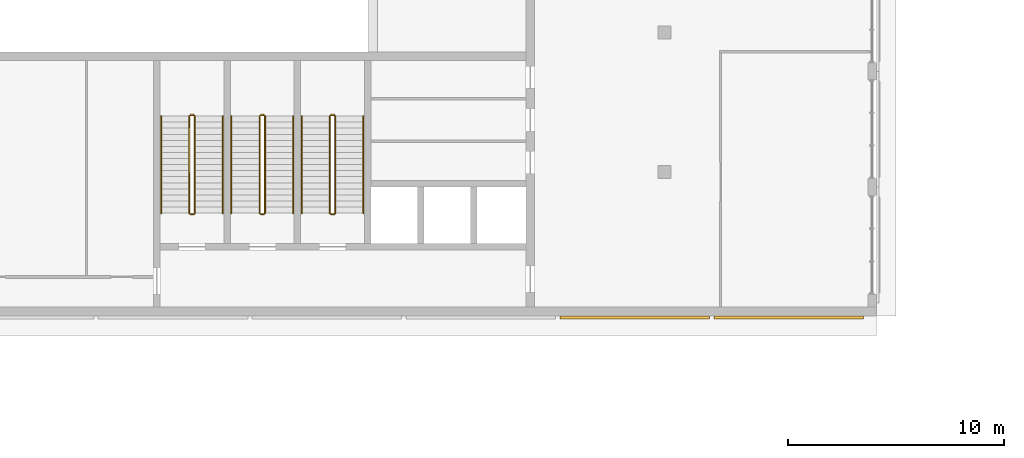
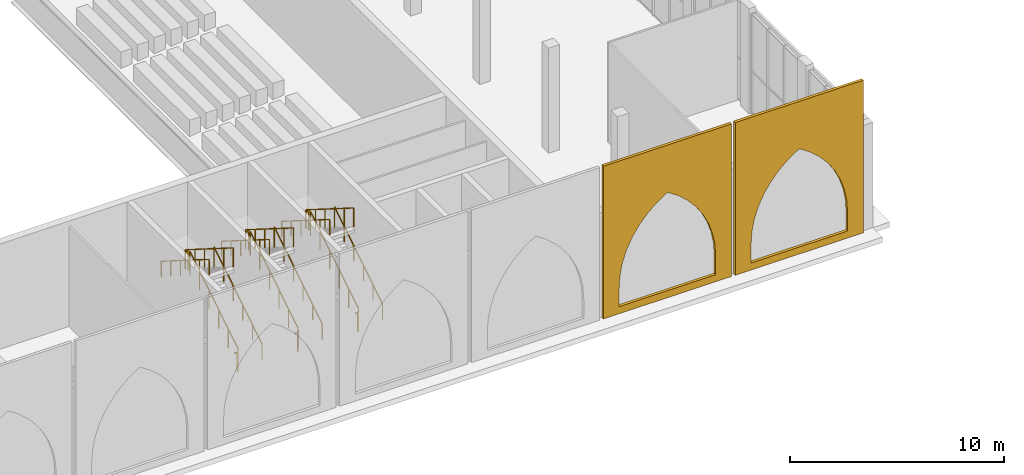
# One storey, part 31 of 74: 18 railings, 2 coverings.
"""IFC4 building model written with IfcOpenShell, lengths in metres."""

from ifc_helpers import new_model, si_unit, direction, frame, origin, origin_2d, place, context, subcontext, project, spatial, polyline, rectangle, outline, extrude, material, layer, layer_set, type_object, element, save


model = new_model("IFC4")

# Units and contexts
model_context = context("Model", 3, precision=1e-05, world=origin(), true_north=direction((0.0, 1.0)))
body_context = subcontext(model_context, "Body", "Model", "MODEL_VIEW")
ifc_project = project(units=[si_unit("LENGTHUNIT", "METRE"), si_unit("AREAUNIT", "SQUARE_METRE"), si_unit("VOLUMEUNIT", "CUBIC_METRE"), si_unit("PLANEANGLEUNIT", "RADIAN"), si_unit("MASSUNIT", "GRAM", prefix="KILO")], contexts=[model_context])

# Site, building, storey
site_placement = place(None, origin())
site = spatial("IfcSite", under=ifc_project, at=site_placement, CompositionType="ELEMENT")
building_placement = place(site_placement, origin())
building = spatial("IfcBuilding", under=site, at=building_placement, Name="Noorbagh Ring Tower", CompositionType="ELEMENT")
storey_placement = place(building_placement, frame((0.0, 0.0, 13.5)))
storey = spatial("IfcBuildingStorey", under=building, at=storey_placement, Name="L02", CompositionType="ELEMENT", Elevation=13.5)

# Coverings
ifc_material_1 = material(Name="Red sandstone cladding", Category="masonry")
ifc_layer = layer(ifc_material_1, 0.14990234375)
ifc_layer_set = layer_set([ifc_layer], Name="Red sandstone cladding")
covering_type = type_object("IfcCoveringType", Name="STH-BLIND", PredefinedType="USERDEFINED", material=ifc_layer_set)
covering_1_placement = place(storey_placement, frame((-109.622314453125, -21.14990234375, 0.0), z_axis=(0.0, -1.0, 0.0), x_axis=(1.0, 0.0, 0.0)))
element("IfcCovering", 1, at=covering_1_placement, inside=storey, type_object=covering_type, Name="Blind arch bay", ObjectType="ARCH", PredefinedType="USERDEFINED", context=body_context, shape_type="SweptSolid", body=[
    extrude(outline(polyline([(0.0, 0.0), (6.9111328125, 0.0), (6.9111328125, 8.699951171875), (0.0, 8.699951171875), (0.0, 0.0)]), holes=[polyline([(0.855712890625, 0.39990234375), (0.855712890625, 1.5), (0.900146484375, 2.1787109375), (1.03271484375, 2.845947265625), (1.25146484375, 3.489990234375), (1.55224609375, 4.10009765625), (1.93017578125, 4.66552734375), (2.378662109375, 5.177001953125), (2.889892578125, 5.62548828125), (3.45556640625, 6.00341796875), (4.021240234375, 5.62548828125), (4.53271484375, 5.177001953125), (4.98095703125, 4.66552734375), (5.35888671875, 4.10009765625), (5.659912109375, 3.489990234375), (5.87841796875, 2.845947265625), (6.010986328125, 2.1787109375), (6.0556640625, 1.5), (6.0556640625, 0.39990234375), (0.855712890625, 0.39990234375)])]), origin(), (0.0, 0.0, -1.0), 0.14990234375),
])
covering_2_placement = place(storey_placement, frame((-102.510986328125, -21.14990234375, 0.0), z_axis=(0.0, -1.0, 0.0), x_axis=(1.0, 0.0, 0.0)))
element("IfcCovering", 2, at=covering_2_placement, inside=storey, type_object=covering_type, Name="Blind arch bay", ObjectType="ARCH", PredefinedType="USERDEFINED", context=body_context, shape_type="SweptSolid", body=[
    extrude(outline(polyline([(0.0, 0.0), (6.910888671875, 0.0), (6.910888671875, 8.699951171875), (0.0, 8.699951171875), (0.0, 0.0)]), holes=[polyline([(0.855712890625, 0.39990234375), (0.855712890625, 1.5), (0.900146484375, 2.1787109375), (1.03271484375, 2.845947265625), (1.25146484375, 3.489990234375), (1.55224609375, 4.10009765625), (1.93017578125, 4.66552734375), (2.378662109375, 5.177001953125), (2.889892578125, 5.62548828125), (3.45556640625, 6.00341796875), (4.021240234375, 5.62548828125), (4.53271484375, 5.177001953125), (4.98095703125, 4.66552734375), (5.35888671875, 4.10009765625), (5.659912109375, 3.489990234375), (5.87841796875, 2.845947265625), (6.010986328125, 2.1787109375), (6.0556640625, 1.5), (6.0556640625, 0.39990234375), (0.855712890625, 0.39990234375)])]), origin(), (0.0, 0.0, -1.0), 0.14990234375),
])

# Railings
ifc_material_2 = material(Name="Stainless steel", Category="steel")
railing_type_1 = type_object("IfcRailingType", Name="TH-STAIR-GUARD", PredefinedType="GUARDRAIL", material=ifc_material_2)
railing_1_placement = place(storey_placement, frame((-123.25, -16.25, 0.176513671875)))
element("IfcRailing", 3, at=railing_1_placement, inside=storey, type_object=railing_type_1, Name="L02 TSS1 stair guard 1", PredefinedType="GUARDRAIL", context=body_context, shape_type="SweptSolid", body=[
    extrude(rectangle(XDim=0.048095703125, YDim=0.048095703125, at=origin_2d()), frame((0.0, 0.0, 1.076171875), z_axis=(0.0, 0.845997938375, 0.533186166611), x_axis=(-1.0, 0.0, 0.0)), (0.0, 0.0, 1.0), 5.29541015625),
    extrude(rectangle(XDim=0.0419921875, YDim=0.0419921875, at=origin_2d()), origin(), (0.0, 0.0, 1.0), 1.052001953125),
    extrude(rectangle(XDim=0.0419921875, YDim=0.0419921875, at=origin_2d()), frame((0.0, 0.89599609375, 0.564697265625)), (0.0, 0.0, 1.0), 1.052001953125),
    extrude(rectangle(XDim=0.0419921875, YDim=0.0419921875, at=origin_2d()), frame((0.0, 1.7919921875, 1.12939453125)), (0.0, 0.0, 1.0), 1.052001953125),
    extrude(rectangle(XDim=0.0419921875, YDim=0.0419921875, at=origin_2d()), frame((0.0, 2.68798828125, 1.694091796875)), (0.0, 0.0, 1.0), 1.052001953125),
    extrude(rectangle(XDim=0.0419921875, YDim=0.0419921875, at=origin_2d()), frame((0.0, 3.583984375, 2.2587890625)), (0.0, 0.0, 1.0), 1.052001953125),
    extrude(rectangle(XDim=0.0419921875, YDim=0.0419921875, at=origin_2d()), frame((0.0, 4.47998046875, 2.823486328125)), (0.0, 0.0, 1.0), 1.052001953125),
])
railing_2_placement = place(storey_placement, frame((-123.300048828125, -11.719970703125, 3.0)))
element("IfcRailing", 4, at=railing_2_placement, inside=storey, type_object=railing_type_1, Name="L02 TSS1 stair guard 2", PredefinedType="GUARDRAIL", context=body_context, shape_type="SweptSolid", body=[
    extrude(rectangle(XDim=0.048095703125, YDim=0.048095703125, at=origin_2d()), frame((0.0, 0.0, 1.076171875), z_axis=(-1.0, 0.0, 0.0), x_axis=(0.0, -1.0, 0.0)), (0.0, 0.0, 1.0), 0.14990234375),
    extrude(rectangle(XDim=0.0419921875, YDim=0.0419921875, at=origin_2d()), origin(), (0.0, 0.0, 1.0), 1.052001953125),
])
railing_3_placement = place(storey_placement, frame((-123.5, -11.77001953125, 3.176513671875)))
element("IfcRailing", 5, at=railing_3_placement, inside=storey, type_object=railing_type_1, Name="L02 TSS1 stair guard 3", PredefinedType="GUARDRAIL", context=body_context, shape_type="SweptSolid", body=[
    extrude(rectangle(XDim=0.048095703125, YDim=0.048095703125, at=origin_2d()), frame((0.0, 0.0, 1.076171875), z_axis=(0.0, -0.845997938375, 0.533186166611), x_axis=(1.0, 0.0, 0.0)), (0.0, 0.0, 1.0), 5.29541015625),
    extrude(rectangle(XDim=0.0419921875, YDim=0.0419921875, at=origin_2d()), origin(), (0.0, 0.0, 1.0), 1.052001953125),
    extrude(rectangle(XDim=0.0419921875, YDim=0.0419921875, at=origin_2d()), frame((0.0, -0.89599609375, 0.564697265625)), (0.0, 0.0, 1.0), 1.052001953125),
    extrude(rectangle(XDim=0.0419921875, YDim=0.0419921875, at=origin_2d()), frame((0.0, -1.7919921875, 1.12939453125)), (0.0, 0.0, 1.0), 1.052001953125),
    extrude(rectangle(XDim=0.0419921875, YDim=0.0419921875, at=origin_2d()), frame((0.0, -2.68798828125, 1.694091796875)), (0.0, 0.0, 1.0), 1.052001953125),
    extrude(rectangle(XDim=0.0419921875, YDim=0.0419921875, at=origin_2d()), frame((0.0, -3.583984375, 2.2587890625)), (0.0, 0.0, 1.0), 1.052001953125),
    extrude(rectangle(XDim=0.0419921875, YDim=0.0419921875, at=origin_2d()), frame((0.0, -4.47998046875, 2.823486328125)), (0.0, 0.0, 1.0), 1.052001953125),
])
railing_4_placement = place(storey_placement, frame((-123.300048828125, -16.300048828125, 0.0)))
element("IfcRailing", 6, at=railing_4_placement, inside=storey, type_object=railing_type_1, Name="L02 TSS1 stair guard 4", PredefinedType="GUARDRAIL", context=body_context, shape_type="SweptSolid", body=[
    extrude(rectangle(XDim=0.048095703125, YDim=0.048095703125, at=origin_2d()), frame((0.0, 0.0, 1.076171875), z_axis=(-1.0, 0.0, 0.0), x_axis=(0.0, -1.0, 0.0)), (0.0, 0.0, 1.0), 0.14990234375),
    extrude(rectangle(XDim=0.0419921875, YDim=0.0419921875, at=origin_2d()), origin(), (0.0, 0.0, 1.0), 1.052001953125),
])
railing_5_placement = place(storey_placement, frame((-120.0, -16.25, 0.176513671875)))
element("IfcRailing", 7, at=railing_5_placement, inside=storey, type_object=railing_type_1, Name="L02 TSS2 stair guard 1", PredefinedType="GUARDRAIL", context=body_context, shape_type="SweptSolid", body=[
    extrude(rectangle(XDim=0.048095703125, YDim=0.048095703125, at=origin_2d()), frame((0.0, 0.0, 1.076171875), z_axis=(0.0, 0.845997938375, 0.533186166611), x_axis=(-1.0, 0.0, 0.0)), (0.0, 0.0, 1.0), 5.29541015625),
    extrude(rectangle(XDim=0.0419921875, YDim=0.0419921875, at=origin_2d()), origin(), (0.0, 0.0, 1.0), 1.052001953125),
    extrude(rectangle(XDim=0.0419921875, YDim=0.0419921875, at=origin_2d()), frame((0.0, 0.89599609375, 0.564697265625)), (0.0, 0.0, 1.0), 1.052001953125),
    extrude(rectangle(XDim=0.0419921875, YDim=0.0419921875, at=origin_2d()), frame((0.0, 1.7919921875, 1.12939453125)), (0.0, 0.0, 1.0), 1.052001953125),
    extrude(rectangle(XDim=0.0419921875, YDim=0.0419921875, at=origin_2d()), frame((0.0, 2.68798828125, 1.694091796875)), (0.0, 0.0, 1.0), 1.052001953125),
    extrude(rectangle(XDim=0.0419921875, YDim=0.0419921875, at=origin_2d()), frame((0.0, 3.583984375, 2.2587890625)), (0.0, 0.0, 1.0), 1.052001953125),
    extrude(rectangle(XDim=0.0419921875, YDim=0.0419921875, at=origin_2d()), frame((0.0, 4.47998046875, 2.823486328125)), (0.0, 0.0, 1.0), 1.052001953125),
])
railing_6_placement = place(storey_placement, frame((-120.050048828125, -11.719970703125, 3.0)))
element("IfcRailing", 8, at=railing_6_placement, inside=storey, type_object=railing_type_1, Name="L02 TSS2 stair guard 2", PredefinedType="GUARDRAIL", context=body_context, shape_type="SweptSolid", body=[
    extrude(rectangle(XDim=0.048095703125, YDim=0.048095703125, at=origin_2d()), frame((0.0, 0.0, 1.076171875), z_axis=(-1.0, 0.0, 0.0), x_axis=(0.0, -1.0, 0.0)), (0.0, 0.0, 1.0), 0.14990234375),
    extrude(rectangle(XDim=0.0419921875, YDim=0.0419921875, at=origin_2d()), origin(), (0.0, 0.0, 1.0), 1.052001953125),
])
railing_7_placement = place(storey_placement, frame((-120.25, -11.77001953125, 3.176513671875)))
element("IfcRailing", 9, at=railing_7_placement, inside=storey, type_object=railing_type_1, Name="L02 TSS2 stair guard 3", PredefinedType="GUARDRAIL", context=body_context, shape_type="SweptSolid", body=[
    extrude(rectangle(XDim=0.048095703125, YDim=0.048095703125, at=origin_2d()), frame((0.0, 0.0, 1.076171875), z_axis=(0.0, -0.845997938375, 0.533186166611), x_axis=(1.0, 0.0, 0.0)), (0.0, 0.0, 1.0), 5.29541015625),
    extrude(rectangle(XDim=0.0419921875, YDim=0.0419921875, at=origin_2d()), origin(), (0.0, 0.0, 1.0), 1.052001953125),
    extrude(rectangle(XDim=0.0419921875, YDim=0.0419921875, at=origin_2d()), frame((0.0, -0.89599609375, 0.564697265625)), (0.0, 0.0, 1.0), 1.052001953125),
    extrude(rectangle(XDim=0.0419921875, YDim=0.0419921875, at=origin_2d()), frame((0.0, -1.7919921875, 1.12939453125)), (0.0, 0.0, 1.0), 1.052001953125),
    extrude(rectangle(XDim=0.0419921875, YDim=0.0419921875, at=origin_2d()), frame((0.0, -2.68798828125, 1.694091796875)), (0.0, 0.0, 1.0), 1.052001953125),
    extrude(rectangle(XDim=0.0419921875, YDim=0.0419921875, at=origin_2d()), frame((0.0, -3.583984375, 2.2587890625)), (0.0, 0.0, 1.0), 1.052001953125),
    extrude(rectangle(XDim=0.0419921875, YDim=0.0419921875, at=origin_2d()), frame((0.0, -4.47998046875, 2.823486328125)), (0.0, 0.0, 1.0), 1.052001953125),
])
railing_8_placement = place(storey_placement, frame((-120.050048828125, -16.300048828125, 0.0)))
element("IfcRailing", 10, at=railing_8_placement, inside=storey, type_object=railing_type_1, Name="L02 TSS2 stair guard 4", PredefinedType="GUARDRAIL", context=body_context, shape_type="SweptSolid", body=[
    extrude(rectangle(XDim=0.048095703125, YDim=0.048095703125, at=origin_2d()), frame((0.0, 0.0, 1.076171875), z_axis=(-1.0, 0.0, 0.0), x_axis=(0.0, -1.0, 0.0)), (0.0, 0.0, 1.0), 0.14990234375),
    extrude(rectangle(XDim=0.0419921875, YDim=0.0419921875, at=origin_2d()), origin(), (0.0, 0.0, 1.0), 1.052001953125),
])
railing_9_placement = place(storey_placement, frame((-126.5, -16.25, 0.176513671875)))
element("IfcRailing", 11, at=railing_9_placement, inside=storey, type_object=railing_type_1, Name="L02 TSS3 stair guard 1", PredefinedType="GUARDRAIL", context=body_context, shape_type="SweptSolid", body=[
    extrude(rectangle(XDim=0.048095703125, YDim=0.048095703125, at=origin_2d()), frame((0.0, 0.0, 1.076171875), z_axis=(0.0, 0.845997938375, 0.533186166611), x_axis=(-1.0, 0.0, 0.0)), (0.0, 0.0, 1.0), 5.29541015625),
    extrude(rectangle(XDim=0.0419921875, YDim=0.0419921875, at=origin_2d()), origin(), (0.0, 0.0, 1.0), 1.052001953125),
    extrude(rectangle(XDim=0.0419921875, YDim=0.0419921875, at=origin_2d()), frame((0.0, 0.89599609375, 0.564697265625)), (0.0, 0.0, 1.0), 1.052001953125),
    extrude(rectangle(XDim=0.0419921875, YDim=0.0419921875, at=origin_2d()), frame((0.0, 1.7919921875, 1.12939453125)), (0.0, 0.0, 1.0), 1.052001953125),
    extrude(rectangle(XDim=0.0419921875, YDim=0.0419921875, at=origin_2d()), frame((0.0, 2.68798828125, 1.694091796875)), (0.0, 0.0, 1.0), 1.052001953125),
    extrude(rectangle(XDim=0.0419921875, YDim=0.0419921875, at=origin_2d()), frame((0.0, 3.583984375, 2.2587890625)), (0.0, 0.0, 1.0), 1.052001953125),
    extrude(rectangle(XDim=0.0419921875, YDim=0.0419921875, at=origin_2d()), frame((0.0, 4.47998046875, 2.823486328125)), (0.0, 0.0, 1.0), 1.052001953125),
])
railing_10_placement = place(storey_placement, frame((-126.550048828125, -11.719970703125, 3.0)))
element("IfcRailing", 12, at=railing_10_placement, inside=storey, type_object=railing_type_1, Name="L02 TSS3 stair guard 2", PredefinedType="GUARDRAIL", context=body_context, shape_type="SweptSolid", body=[
    extrude(rectangle(XDim=0.048095703125, YDim=0.048095703125, at=origin_2d()), frame((0.0, 0.0, 1.076171875), z_axis=(-1.0, 0.0, 0.0), x_axis=(0.0, -1.0, 0.0)), (0.0, 0.0, 1.0), 0.14990234375),
    extrude(rectangle(XDim=0.0419921875, YDim=0.0419921875, at=origin_2d()), origin(), (0.0, 0.0, 1.0), 1.052001953125),
])
railing_11_placement = place(storey_placement, frame((-126.75, -11.77001953125, 3.176513671875)))
element("IfcRailing", 13, at=railing_11_placement, inside=storey, type_object=railing_type_1, Name="L02 TSS3 stair guard 3", PredefinedType="GUARDRAIL", context=body_context, shape_type="SweptSolid", body=[
    extrude(rectangle(XDim=0.048095703125, YDim=0.048095703125, at=origin_2d()), frame((0.0, 0.0, 1.076171875), z_axis=(0.0, -0.845997938375, 0.533186166611), x_axis=(1.0, 0.0, 0.0)), (0.0, 0.0, 1.0), 5.29541015625),
    extrude(rectangle(XDim=0.0419921875, YDim=0.0419921875, at=origin_2d()), origin(), (0.0, 0.0, 1.0), 1.052001953125),
    extrude(rectangle(XDim=0.0419921875, YDim=0.0419921875, at=origin_2d()), frame((0.0, -0.89599609375, 0.564697265625)), (0.0, 0.0, 1.0), 1.052001953125),
    extrude(rectangle(XDim=0.0419921875, YDim=0.0419921875, at=origin_2d()), frame((0.0, -1.7919921875, 1.12939453125)), (0.0, 0.0, 1.0), 1.052001953125),
    extrude(rectangle(XDim=0.0419921875, YDim=0.0419921875, at=origin_2d()), frame((0.0, -2.68798828125, 1.694091796875)), (0.0, 0.0, 1.0), 1.052001953125),
    extrude(rectangle(XDim=0.0419921875, YDim=0.0419921875, at=origin_2d()), frame((0.0, -3.583984375, 2.2587890625)), (0.0, 0.0, 1.0), 1.052001953125),
    extrude(rectangle(XDim=0.0419921875, YDim=0.0419921875, at=origin_2d()), frame((0.0, -4.47998046875, 2.823486328125)), (0.0, 0.0, 1.0), 1.052001953125),
])
railing_12_placement = place(storey_placement, frame((-126.550048828125, -16.300048828125, 0.0)))
element("IfcRailing", 14, at=railing_12_placement, inside=storey, type_object=railing_type_1, Name="L02 TSS3 stair guard 4", PredefinedType="GUARDRAIL", context=body_context, shape_type="SweptSolid", body=[
    extrude(rectangle(XDim=0.048095703125, YDim=0.048095703125, at=origin_2d()), frame((0.0, 0.0, 1.076171875), z_axis=(-1.0, 0.0, 0.0), x_axis=(0.0, -1.0, 0.0)), (0.0, 0.0, 1.0), 0.14990234375),
    extrude(rectangle(XDim=0.0419921875, YDim=0.0419921875, at=origin_2d()), origin(), (0.0, 0.0, 1.0), 1.052001953125),
])
ifc_material_3 = material(Name="Stainless steel", Category="steel")
railing_type_2 = type_object("IfcRailingType", Name="TH-STAIR-HANDRAIL", PredefinedType="HANDRAIL", material=ifc_material_3)
railing_13_placement = place(storey_placement, frame((-121.949951171875, -16.25, 0.176513671875)))
element("IfcRailing", 15, at=railing_13_placement, inside=storey, type_object=railing_type_2, Name="L02 TSS1 stair handrail 1", PredefinedType="HANDRAIL", context=body_context, shape_type="SweptSolid", body=[
    extrude(rectangle(XDim=0.048095703125, YDim=0.048095703125, at=origin_2d()), frame((0.0, 0.0, 0.8759765625), z_axis=(0.0, 0.845997938375, 0.533186166611), x_axis=(-1.0, 0.0, 0.0)), (0.0, 0.0, 1.0), 5.29541015625),
    extrude(rectangle(XDim=0.0419921875, YDim=0.0419921875, at=origin_2d()), origin(), (0.0, 0.0, 1.0), 0.851806640625),
    extrude(rectangle(XDim=0.0419921875, YDim=0.0419921875, at=origin_2d()), frame((0.0, 0.89599609375, 0.564697265625)), (0.0, 0.0, 1.0), 0.851806640625),
    extrude(rectangle(XDim=0.0419921875, YDim=0.0419921875, at=origin_2d()), frame((0.0, 1.7919921875, 1.12939453125)), (0.0, 0.0, 1.0), 0.851806640625),
    extrude(rectangle(XDim=0.0419921875, YDim=0.0419921875, at=origin_2d()), frame((0.0, 2.68798828125, 1.694091796875)), (0.0, 0.0, 1.0), 0.851806640625),
    extrude(rectangle(XDim=0.0419921875, YDim=0.0419921875, at=origin_2d()), frame((0.0, 3.583984375, 2.2587890625)), (0.0, 0.0, 1.0), 0.851806640625),
    extrude(rectangle(XDim=0.0419921875, YDim=0.0419921875, at=origin_2d()), frame((0.0, 4.47998046875, 2.823486328125)), (0.0, 0.0, 1.0), 0.851806640625),
])
railing_14_placement = place(storey_placement, frame((-124.800048828125, -11.77001953125, 3.176513671875)))
element("IfcRailing", 16, at=railing_14_placement, inside=storey, type_object=railing_type_2, Name="L02 TSS1 stair handrail 2", PredefinedType="HANDRAIL", context=body_context, shape_type="SweptSolid", body=[
    extrude(rectangle(XDim=0.048095703125, YDim=0.048095703125, at=origin_2d()), frame((0.0, 0.0, 0.8759765625), z_axis=(0.0, -0.845997938375, 0.533186166611), x_axis=(1.0, 0.0, 0.0)), (0.0, 0.0, 1.0), 5.29541015625),
    extrude(rectangle(XDim=0.0419921875, YDim=0.0419921875, at=origin_2d()), origin(), (0.0, 0.0, 1.0), 0.851806640625),
    extrude(rectangle(XDim=0.0419921875, YDim=0.0419921875, at=origin_2d()), frame((0.0, -0.89599609375, 0.564697265625)), (0.0, 0.0, 1.0), 0.851806640625),
    extrude(rectangle(XDim=0.0419921875, YDim=0.0419921875, at=origin_2d()), frame((0.0, -1.7919921875, 1.12939453125)), (0.0, 0.0, 1.0), 0.851806640625),
    extrude(rectangle(XDim=0.0419921875, YDim=0.0419921875, at=origin_2d()), frame((0.0, -2.68798828125, 1.694091796875)), (0.0, 0.0, 1.0), 0.851806640625),
    extrude(rectangle(XDim=0.0419921875, YDim=0.0419921875, at=origin_2d()), frame((0.0, -3.583984375, 2.2587890625)), (0.0, 0.0, 1.0), 0.851806640625),
    extrude(rectangle(XDim=0.0419921875, YDim=0.0419921875, at=origin_2d()), frame((0.0, -4.47998046875, 2.823486328125)), (0.0, 0.0, 1.0), 0.851806640625),
])
railing_15_placement = place(storey_placement, frame((-118.699951171875, -16.25, 0.176513671875)))
element("IfcRailing", 17, at=railing_15_placement, inside=storey, type_object=railing_type_2, Name="L02 TSS2 stair handrail 1", PredefinedType="HANDRAIL", context=body_context, shape_type="SweptSolid", body=[
    extrude(rectangle(XDim=0.048095703125, YDim=0.048095703125, at=origin_2d()), frame((0.0, 0.0, 0.8759765625), z_axis=(0.0, 0.845997938375, 0.533186166611), x_axis=(-1.0, 0.0, 0.0)), (0.0, 0.0, 1.0), 5.29541015625),
    extrude(rectangle(XDim=0.0419921875, YDim=0.0419921875, at=origin_2d()), origin(), (0.0, 0.0, 1.0), 0.851806640625),
    extrude(rectangle(XDim=0.0419921875, YDim=0.0419921875, at=origin_2d()), frame((0.0, 0.89599609375, 0.564697265625)), (0.0, 0.0, 1.0), 0.851806640625),
    extrude(rectangle(XDim=0.0419921875, YDim=0.0419921875, at=origin_2d()), frame((0.0, 1.7919921875, 1.12939453125)), (0.0, 0.0, 1.0), 0.851806640625),
    extrude(rectangle(XDim=0.0419921875, YDim=0.0419921875, at=origin_2d()), frame((0.0, 2.68798828125, 1.694091796875)), (0.0, 0.0, 1.0), 0.851806640625),
    extrude(rectangle(XDim=0.0419921875, YDim=0.0419921875, at=origin_2d()), frame((0.0, 3.583984375, 2.2587890625)), (0.0, 0.0, 1.0), 0.851806640625),
    extrude(rectangle(XDim=0.0419921875, YDim=0.0419921875, at=origin_2d()), frame((0.0, 4.47998046875, 2.823486328125)), (0.0, 0.0, 1.0), 0.851806640625),
])
railing_16_placement = place(storey_placement, frame((-121.550048828125, -11.77001953125, 3.176513671875)))
element("IfcRailing", 18, at=railing_16_placement, inside=storey, type_object=railing_type_2, Name="L02 TSS2 stair handrail 2", PredefinedType="HANDRAIL", context=body_context, shape_type="SweptSolid", body=[
    extrude(rectangle(XDim=0.048095703125, YDim=0.048095703125, at=origin_2d()), frame((0.0, 0.0, 0.8759765625), z_axis=(0.0, -0.845997938375, 0.533186166611), x_axis=(1.0, 0.0, 0.0)), (0.0, 0.0, 1.0), 5.29541015625),
    extrude(rectangle(XDim=0.0419921875, YDim=0.0419921875, at=origin_2d()), origin(), (0.0, 0.0, 1.0), 0.851806640625),
    extrude(rectangle(XDim=0.0419921875, YDim=0.0419921875, at=origin_2d()), frame((0.0, -0.89599609375, 0.564697265625)), (0.0, 0.0, 1.0), 0.851806640625),
    extrude(rectangle(XDim=0.0419921875, YDim=0.0419921875, at=origin_2d()), frame((0.0, -1.7919921875, 1.12939453125)), (0.0, 0.0, 1.0), 0.851806640625),
    extrude(rectangle(XDim=0.0419921875, YDim=0.0419921875, at=origin_2d()), frame((0.0, -2.68798828125, 1.694091796875)), (0.0, 0.0, 1.0), 0.851806640625),
    extrude(rectangle(XDim=0.0419921875, YDim=0.0419921875, at=origin_2d()), frame((0.0, -3.583984375, 2.2587890625)), (0.0, 0.0, 1.0), 0.851806640625),
    extrude(rectangle(XDim=0.0419921875, YDim=0.0419921875, at=origin_2d()), frame((0.0, -4.47998046875, 2.823486328125)), (0.0, 0.0, 1.0), 0.851806640625),
])
railing_17_placement = place(storey_placement, frame((-125.199951171875, -16.25, 0.176513671875)))
element("IfcRailing", 19, at=railing_17_placement, inside=storey, type_object=railing_type_2, Name="L02 TSS3 stair handrail 1", PredefinedType="HANDRAIL", context=body_context, shape_type="SweptSolid", body=[
    extrude(rectangle(XDim=0.048095703125, YDim=0.048095703125, at=origin_2d()), frame((0.0, 0.0, 0.8759765625), z_axis=(0.0, 0.845997938375, 0.533186166611), x_axis=(-1.0, 0.0, 0.0)), (0.0, 0.0, 1.0), 5.29541015625),
    extrude(rectangle(XDim=0.0419921875, YDim=0.0419921875, at=origin_2d()), origin(), (0.0, 0.0, 1.0), 0.851806640625),
    extrude(rectangle(XDim=0.0419921875, YDim=0.0419921875, at=origin_2d()), frame((0.0, 0.89599609375, 0.564697265625)), (0.0, 0.0, 1.0), 0.851806640625),
    extrude(rectangle(XDim=0.0419921875, YDim=0.0419921875, at=origin_2d()), frame((0.0, 1.7919921875, 1.12939453125)), (0.0, 0.0, 1.0), 0.851806640625),
    extrude(rectangle(XDim=0.0419921875, YDim=0.0419921875, at=origin_2d()), frame((0.0, 2.68798828125, 1.694091796875)), (0.0, 0.0, 1.0), 0.851806640625),
    extrude(rectangle(XDim=0.0419921875, YDim=0.0419921875, at=origin_2d()), frame((0.0, 3.583984375, 2.2587890625)), (0.0, 0.0, 1.0), 0.851806640625),
    extrude(rectangle(XDim=0.0419921875, YDim=0.0419921875, at=origin_2d()), frame((0.0, 4.47998046875, 2.823486328125)), (0.0, 0.0, 1.0), 0.851806640625),
])
railing_18_placement = place(storey_placement, frame((-128.050048828125, -11.77001953125, 3.176513671875)))
element("IfcRailing", 20, at=railing_18_placement, inside=storey, type_object=railing_type_2, Name="L02 TSS3 stair handrail 2", PredefinedType="HANDRAIL", context=body_context, shape_type="SweptSolid", body=[
    extrude(rectangle(XDim=0.048095703125, YDim=0.048095703125, at=origin_2d()), frame((0.0, 0.0, 0.8759765625), z_axis=(0.0, -0.845997938375, 0.533186166611), x_axis=(1.0, 0.0, 0.0)), (0.0, 0.0, 1.0), 5.29541015625),
    extrude(rectangle(XDim=0.0419921875, YDim=0.0419921875, at=origin_2d()), origin(), (0.0, 0.0, 1.0), 0.851806640625),
    extrude(rectangle(XDim=0.0419921875, YDim=0.0419921875, at=origin_2d()), frame((0.0, -0.89599609375, 0.564697265625)), (0.0, 0.0, 1.0), 0.851806640625),
    extrude(rectangle(XDim=0.0419921875, YDim=0.0419921875, at=origin_2d()), frame((0.0, -1.7919921875, 1.12939453125)), (0.0, 0.0, 1.0), 0.851806640625),
    extrude(rectangle(XDim=0.0419921875, YDim=0.0419921875, at=origin_2d()), frame((0.0, -2.68798828125, 1.694091796875)), (0.0, 0.0, 1.0), 0.851806640625),
    extrude(rectangle(XDim=0.0419921875, YDim=0.0419921875, at=origin_2d()), frame((0.0, -3.583984375, 2.2587890625)), (0.0, 0.0, 1.0), 0.851806640625),
    extrude(rectangle(XDim=0.0419921875, YDim=0.0419921875, at=origin_2d()), frame((0.0, -4.47998046875, 2.823486328125)), (0.0, 0.0, 1.0), 0.851806640625),
])

save(model, "model.ifc")
